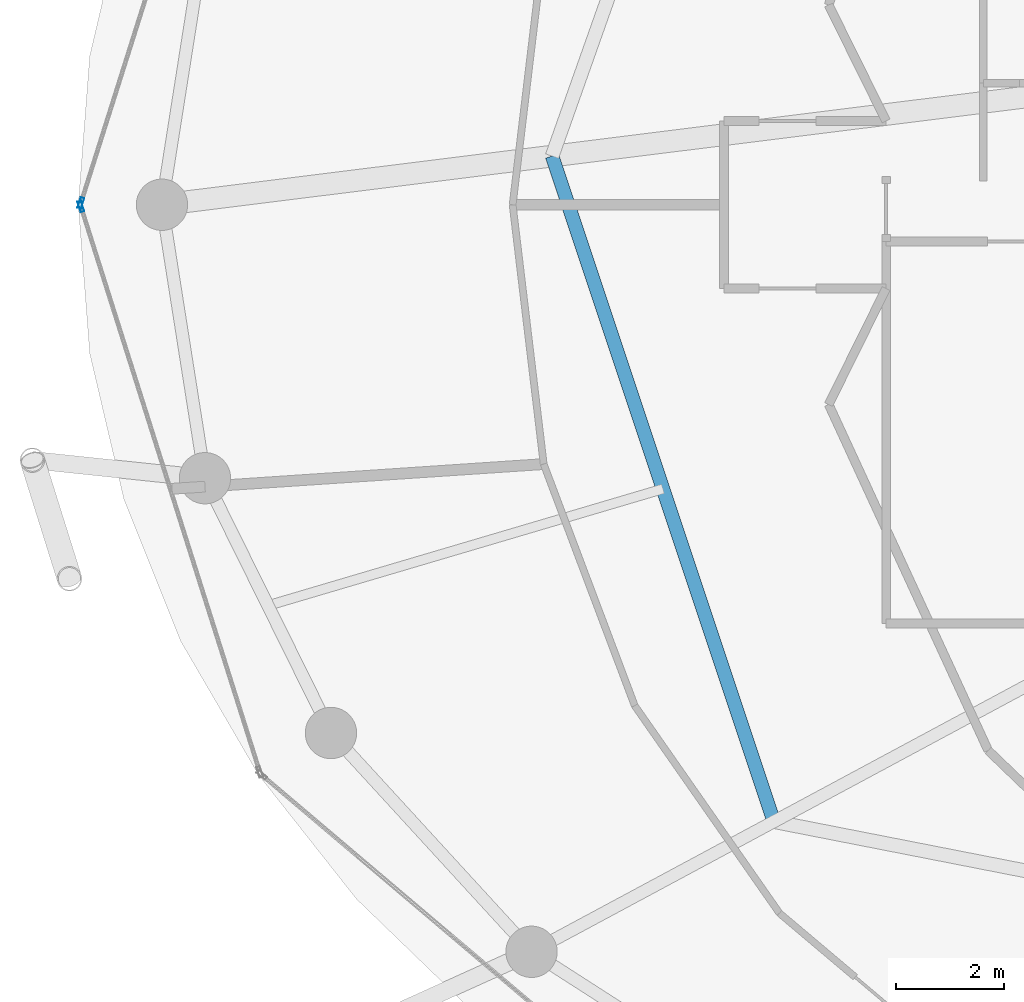
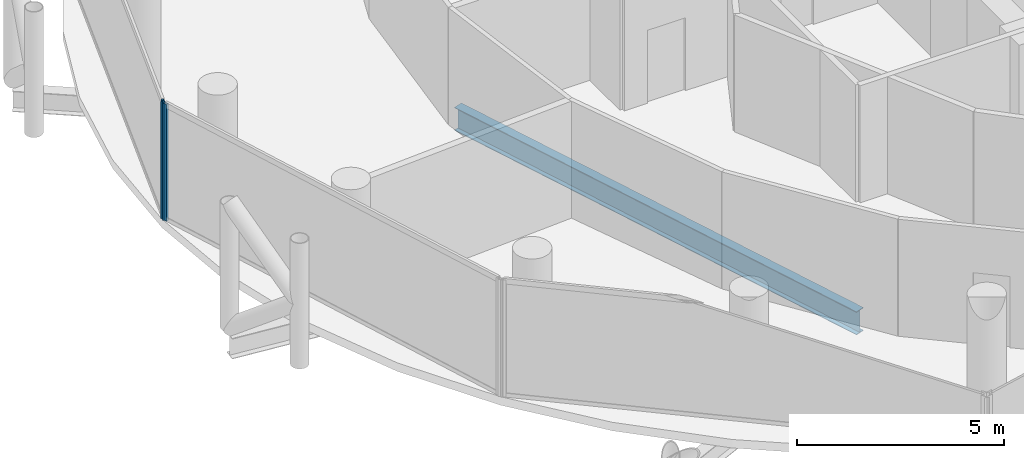
# One storey, part 6 of 26: 2 members, 1 beam, 2 elements without a shape of their own.
"""IFC4 building model written with IfcOpenShell, lengths in metres."""

from ifc_helpers import new_model, si_unit, direction, frame, origin, origin_2d, place, context, subcontext, project, spatial, hollow_rectangle, i_section, extrude, material, layer, layer_set, material_profile, profile_set, type_object, element, aggregate, save


model = new_model("IFC4")

# Units and contexts
model_context = context("Model", 3, precision=1e-05, world=origin(), true_north=direction((0.0, 1.0)))
body_context = subcontext(model_context, "Body", "Model", "MODEL_VIEW")
ifc_project = project(units=[si_unit("LENGTHUNIT", "METRE"), si_unit("AREAUNIT", "SQUARE_METRE"), si_unit("VOLUMEUNIT", "CUBIC_METRE"), si_unit("PLANEANGLEUNIT", "RADIAN"), si_unit("MASSUNIT", "GRAM", prefix="KILO")], contexts=[model_context])

# Site, building, storey
site_placement = place(None, origin())
site = spatial("IfcSite", under=ifc_project, at=site_placement, CompositionType="ELEMENT")
building_placement = place(site_placement, origin())
building = spatial("IfcBuilding", under=site, at=building_placement, Name="Nuhasar Tower", CompositionType="ELEMENT")
storey_placement = place(building_placement, frame((0.0, 0.0, 151.550048828125)))
storey = spatial("IfcBuildingStorey", under=building, at=storey_placement, Name="L36", CompositionType="ELEMENT", Elevation=151.550048828125)

# Beam
ifc_material_1 = material(Name="Steel S355", Category="steel")
ifc_material_profile_1 = material_profile(ifc_material_1, i_section(OverallWidth=0.25390625, OverallDepth=0.68408203125, WebThickness=0.012451171875, FlangeThickness=0.018798828125, at=origin_2d()), Name="W27X94")
ifc_profile_set_1 = profile_set([ifc_material_profile_1], Name="Steel S355")
beam_type = type_object("IfcBeamType", Name="BM-INRING-W27X94", PredefinedType="BEAM", material=ifc_profile_set_1)
beam_placement = place(storey_placement, frame((22.8701171875, 27.699951171875, -0.592041015625), z_axis=(0.31609797573, -0.948726551615, 0.0), x_axis=(0.948726551615, 0.31609797573, 0.0)))
element("IfcBeam", 1, at=beam_placement, inside=storey, type_object=beam_type, Name="L36 Inner Header Beam 08", PredefinedType="BEAM", context=body_context, shape_type="SweptSolid", body=[
    extrude(i_section(OverallWidth=0.25390625, OverallDepth=0.68408203125, WebThickness=0.012451171875, FlangeThickness=0.018798828125, at=origin_2d()), origin(), (0.0, 0.0, 1.0), 12.9794921875),
])

# Curtain wall, member
ifc_material_2 = material(Name="Aluminium 6063-T6", Category="aluminium")
ifc_layer = layer(ifc_material_2, 0.199951171875)
ifc_layer_set = layer_set([ifc_layer], Name="Aluminium 6063-T6")
curtain_wall_type = type_object("IfcCurtainWallType", Name="CW-Z2-HTL", PredefinedType="NOTDEFINED", material=ifc_layer_set)
curtain_wall_1_placement = place(storey_placement, origin())
curtain_wall_1 = element("IfcCurtainWall", 2, at=curtain_wall_1_placement, inside=storey, type_object=curtain_wall_type, Name="L36 Unitised Curtain Wall 06", PredefinedType="NOTDEFINED")
ifc_material_profile_2 = material_profile(ifc_material_2, hollow_rectangle(XDim=0.070068359375, YDim=0.199951171875, WallThickness=0.0048828125, at=origin_2d()), Name="CWM-3")
ifc_profile_set_2 = profile_set([ifc_material_profile_2], Name="Aluminium 6063-T6")
member_type = type_object("IfcMemberType", Name="CW-MUL-S3", PredefinedType="MULLION", material=ifc_profile_set_2)
member_1_placement = place(storey_placement, frame((14.150634765625, 26.833251953125, 0.0), z_axis=(0.0, 0.0, 1.0), x_axis=(0.953433389233, -0.301603667577, 0.0)))
member_1 = element("IfcMember", 3, at=member_1_placement, type_object=member_type, Name="CW-Z2 mullion 2", PredefinedType="MULLION", context=body_context, shape_type="SweptSolid", body=[
    extrude(hollow_rectangle(XDim=0.070068359375, YDim=0.199951171875, WallThickness=0.0048828125, at=origin_2d()), origin(), (0.0, 0.0, 1.0), 3.449951171875),
])
aggregate(curtain_wall_1, [member_1])

curtain_wall_2_placement = place(storey_placement, origin())
curtain_wall_2 = element("IfcCurtainWall", 4, at=curtain_wall_2_placement, inside=storey, type_object=curtain_wall_type, Name="L36 Unitised Curtain Wall 07", PredefinedType="NOTDEFINED")
member_2_placement = place(storey_placement, frame((14.150634765625, 26.7666015625, 0.0), z_axis=(0.0, 0.0, 1.0), x_axis=(0.953433389233, 0.301603667577, 0.0)))
member_2 = element("IfcMember", 5, at=member_2_placement, type_object=member_type, Name="CW-Z2 mullion 1", PredefinedType="MULLION", context=body_context, shape_type="SweptSolid", body=[
    extrude(hollow_rectangle(XDim=0.070068359375, YDim=0.199951171875, WallThickness=0.0048828125, at=origin_2d()), origin(), (0.0, 0.0, 1.0), 3.449951171875),
])
aggregate(curtain_wall_2, [member_2])

save(model, "model.ifc")
